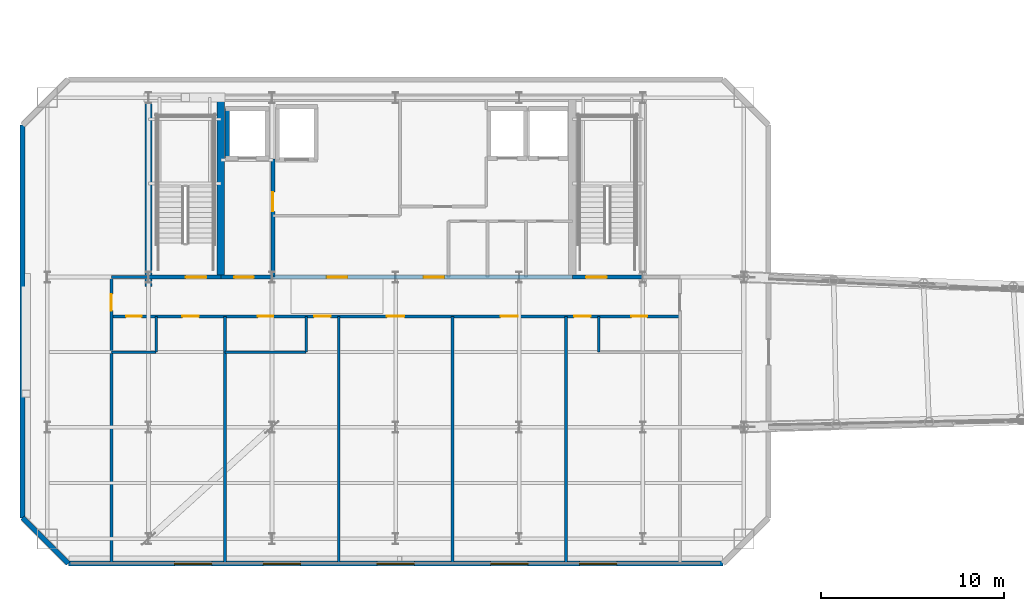
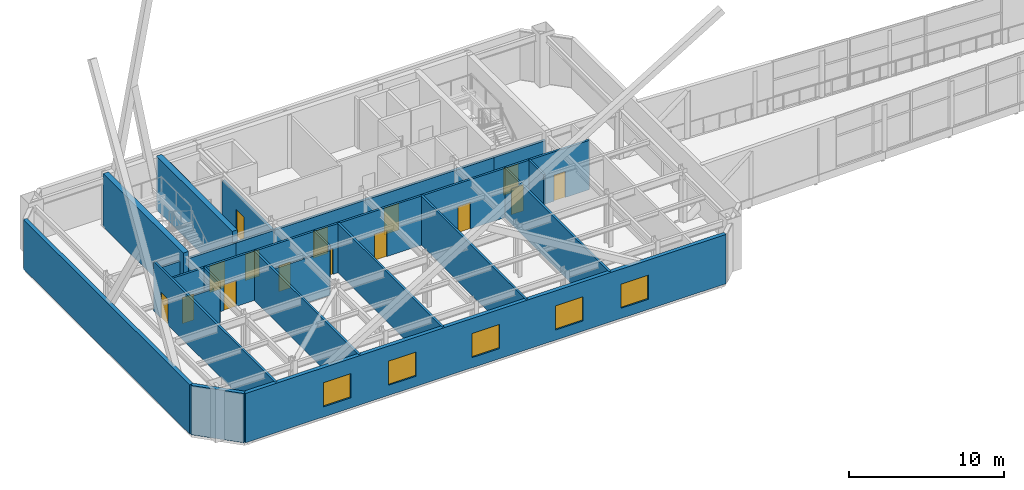
# One storey, part 15 of 23: 23 walls, 15 doors, 5 windows, 20 openings.
"""IFC4 building model written with IfcOpenShell, lengths in metres."""

from ifc_helpers import new_model, si_unit, direction, frame, frame_2d, origin, place, context, subcontext, project, spatial, rectangle, extrude, material, layer, layer_set, type_object, element, fill, save


model = new_model("IFC4")

# Units and contexts
model_context = context("Model", 3, precision=1e-05, world=origin(), true_north=direction((0.0, 1.0)))
body_context = subcontext(model_context, "Body", "Model", "MODEL_VIEW")
ifc_project = project(units=[si_unit("LENGTHUNIT", "METRE"), si_unit("AREAUNIT", "SQUARE_METRE"), si_unit("VOLUMEUNIT", "CUBIC_METRE"), si_unit("PLANEANGLEUNIT", "RADIAN"), si_unit("MASSUNIT", "GRAM", prefix="KILO")], contexts=[model_context])

# Site, building, storey
site_placement = place(None, origin())
site = spatial("IfcSite", under=ifc_project, at=site_placement, CompositionType="ELEMENT")
building_placement = place(site_placement, origin())
building = spatial("IfcBuilding", under=site, at=building_placement, Name="Haevon Station Towers", CompositionType="ELEMENT")
storey_placement = place(building_placement, frame((0.0, 0.0, 197.10009765625)))
storey = spatial("IfcBuildingStorey", under=building, at=storey_placement, Name="L54", CompositionType="ELEMENT", Elevation=197.10009765625)

# Wall, opening, door
ifc_material_1 = material(Name="Gypsum board on steel stud", Category="steel")
ifc_layer_1 = layer(ifc_material_1, 0.199951171875)
ifc_layer_set_1 = layer_set([ifc_layer_1], Name="Gypsum board on steel stud")
wall_type_1 = type_object("IfcWallType", Name="WL-COR200", PredefinedType="PARTITIONING", material=ifc_layer_set_1)
wall_1_placement = place(storey_placement, frame((24.0, 38.199951171875, 0.0), z_axis=(0.0, 0.0, 1.0), x_axis=(1.0, 0.0, 0.0)))
wall_1 = element("IfcWall", 1, at=wall_1_placement, inside=storey, type_object=wall_type_1, Name="WL-ST-ST1-L54", PredefinedType="PARTITIONING", context=body_context, shape_type="SweptSolid", body=[
    extrude(rectangle(XDim=3.949951171875, YDim=0.199951171875, at=frame_2d((1.97509765625, 0.0))), origin(), (0.0, 0.0, 1.0), 3.27978515625),
])
opening_1_placement = place(wall_1_placement, frame((2.050048828125, 0.0, 0.0)))
opening_1 = element("IfcOpeningElement", 2, at=opening_1_placement, cuts=wall_1, Name="Opening DR-ST-ST1-L54", PredefinedType="OPENING", context=body_context, shape_type="SweptSolid", body=[
    extrude(rectangle(XDim=1.1201171875, YDim=2.10009765625, at=frame_2d((0.56005859375, 1.050048828125))), frame((0.0, 0.10986328125, 0.0), z_axis=(0.0, -1.0, 0.0), x_axis=(1.0, 0.0, 0.0)), (0.0, 0.0, 1.0), 0.219970703125),
])
ifc_material_2 = material(Name="Engineered oak timber", Category="wood")
door_type_1 = type_object("IfcDoorType", Name="DR-ST-1120", OperationType="NOTDEFINED", PredefinedType="DOOR", material=ifc_material_2)
door_1_placement = place(opening_1_placement, origin())
door_1 = element("IfcDoor", 3, at=door_1_placement, inside=storey, type_object=door_type_1, Name="L54 Escape Stair ST1 Fire Door", OperationType="SINGLE_SWING_LEFT", OverallHeight=2.10009765625, OverallWidth=1.1201171875, PredefinedType="DOOR", context=body_context, shape_type="SweptSolid", body=[
    extrude(rectangle(XDim=1.1201171875, YDim=2.10009765625, at=frame_2d((0.56005859375, 1.050048828125))), frame((0.0, 0.02490234375, 0.0), z_axis=(0.0, -1.0, 0.0), x_axis=(1.0, 0.0, 0.0)), (0.0, 0.0, 1.0), 0.050048828125),
])
fill(opening_1, door_1)

wall_2_placement = place(storey_placement, frame((47.14990234375, 38.199951171875, 0.0), z_axis=(0.0, 0.0, 1.0), x_axis=(1.0, 0.0, 0.0)))
wall_2 = element("IfcWall", 4, at=wall_2_placement, inside=storey, type_object=wall_type_1, Name="WL-ST-ST2-L54", PredefinedType="PARTITIONING", context=body_context, shape_type="SweptSolid", body=[
    extrude(rectangle(XDim=3.85009765625, YDim=0.199951171875, at=frame_2d((1.925048828125, 0.0))), origin(), (0.0, 0.0, 1.0), 3.27978515625),
])
opening_2_placement = place(wall_2_placement, frame((0.75, 0.0, 0.0)))
opening_2 = element("IfcOpeningElement", 5, at=opening_2_placement, cuts=wall_2, Name="Opening DR-ST-ST2-L54", PredefinedType="OPENING", context=body_context, shape_type="SweptSolid", body=[
    extrude(rectangle(XDim=1.1201171875, YDim=2.10009765625, at=frame_2d((0.56005859375, 1.050048828125))), frame((0.0, 0.10986328125, 0.0), z_axis=(0.0, -1.0, 0.0), x_axis=(1.0, 0.0, 0.0)), (0.0, 0.0, 1.0), 0.219970703125),
])
door_2_placement = place(opening_2_placement, origin())
door_2 = element("IfcDoor", 6, at=door_2_placement, inside=storey, type_object=door_type_1, Name="L54 Escape Stair ST2 Fire Door", OperationType="SINGLE_SWING_RIGHT", OverallHeight=2.10009765625, OverallWidth=1.1201171875, PredefinedType="DOOR", context=body_context, shape_type="SweptSolid", body=[
    extrude(rectangle(XDim=1.1201171875, YDim=2.10009765625, at=frame_2d((0.56005859375, 1.050048828125))), frame((0.0, 0.02490234375, 0.0), z_axis=(0.0, -1.0, 0.0), x_axis=(1.0, 0.0, 0.0)), (0.0, 0.0, 1.0), 0.050048828125),
])
fill(opening_2, door_2)

wall_3_placement = place(storey_placement, frame((30.800048828125, 38.199951171875, 0.0), z_axis=(0.0, 0.0, 1.0), x_axis=(0.0, 1.0, 0.0)))
wall_3 = element("IfcWall", 7, at=wall_3_placement, inside=storey, type_object=wall_type_1, Name="WL-T1FFL-L54-E", PredefinedType="PARTITIONING", context=body_context, shape_type="SweptSolid", body=[
    extrude(rectangle(XDim=6.449951171875, YDim=0.199951171875, at=frame_2d((3.22509765625, 0.0))), origin(), (0.0, 0.0, 1.0), 3.27978515625),
])
opening_3_placement = place(wall_3_placement, frame((3.590087890625, 0.0, 0.0)))
opening_3 = element("IfcOpeningElement", 8, at=opening_3_placement, cuts=wall_3, Name="Opening DR-T1FFL-L54-E", PredefinedType="OPENING", context=body_context, shape_type="SweptSolid", body=[
    extrude(rectangle(XDim=1.050048828125, YDim=2.10009765625, at=frame_2d((0.52490234375, 1.050048828125))), frame((0.0, 0.10986328125, 0.0), z_axis=(0.0, -1.0, 0.0), x_axis=(1.0, 0.0, 0.0)), (0.0, 0.0, 1.0), 0.219970703125),
])
door_type_2 = type_object("IfcDoorType", Name="DR-FD60-1050", OperationType="NOTDEFINED", PredefinedType="DOOR", material=ifc_material_2)
door_3_placement = place(opening_3_placement, origin())
door_3 = element("IfcDoor", 9, at=door_3_placement, inside=storey, type_object=door_type_2, Name="L54 Tower 1 Firefighting Lift Lobby Door E", OperationType="SINGLE_SWING_LEFT", OverallHeight=2.10009765625, OverallWidth=1.050048828125, PredefinedType="DOOR", context=body_context, shape_type="SweptSolid", body=[
    extrude(rectangle(XDim=1.050048828125, YDim=2.10009765625, at=frame_2d((0.52490234375, 1.050048828125))), frame((0.0, 0.02490234375, 0.0), z_axis=(0.0, -1.0, 0.0), x_axis=(1.0, 0.0, 0.0)), (0.0, 0.0, 1.0), 0.050048828125),
])
fill(opening_3, door_3)

wall_4_placement = place(storey_placement, frame((27.949951171875, 38.199951171875, 0.0), z_axis=(0.0, 0.0, 1.0), x_axis=(1.0, 0.0, 0.0)))
wall_4 = element("IfcWall", 10, at=wall_4_placement, inside=storey, type_object=wall_type_1, Name="WL-T1FFL-L54-S", PredefinedType="PARTITIONING", context=body_context, shape_type="SweptSolid", body=[
    extrude(rectangle(XDim=2.85009765625, YDim=0.199951171875, at=frame_2d((1.425048828125, 0.0))), origin(), (0.0, 0.0, 1.0), 3.27978515625),
])
opening_4_placement = place(wall_4_placement, frame((0.75, 0.0, 0.0)))
opening_4 = element("IfcOpeningElement", 11, at=opening_4_placement, cuts=wall_4, Name="Opening DR-T1FFL-L54-S", PredefinedType="OPENING", context=body_context, shape_type="SweptSolid", body=[
    extrude(rectangle(XDim=1.050048828125, YDim=2.10009765625, at=frame_2d((0.52490234375, 1.050048828125))), frame((0.0, 0.10986328125, 0.0), z_axis=(0.0, -1.0, 0.0), x_axis=(1.0, 0.0, 0.0)), (0.0, 0.0, 1.0), 0.219970703125),
])
door_4_placement = place(opening_4_placement, origin())
door_4 = element("IfcDoor", 12, at=door_4_placement, inside=storey, type_object=door_type_2, Name="L54 Tower 1 Firefighting Lift Lobby Door S", OperationType="SINGLE_SWING_RIGHT", OverallHeight=2.10009765625, OverallWidth=1.050048828125, PredefinedType="DOOR", context=body_context, shape_type="SweptSolid", body=[
    extrude(rectangle(XDim=1.050048828125, YDim=2.10009765625, at=frame_2d((0.52490234375, 1.050048828125))), frame((0.0, 0.02490234375, 0.0), z_axis=(0.0, -1.0, 0.0), x_axis=(1.0, 0.0, 0.0)), (0.0, 0.0, 1.0), 0.050048828125),
])
fill(opening_4, door_4)

# Wall, openings, doors
wall_5_placement = place(storey_placement, frame((30.800048828125, 38.199951171875, 0.0), z_axis=(0.0, 0.0, 1.0), x_axis=(1.0, 0.0, 0.0)))
wall_5 = element("IfcWall", 13, at=wall_5_placement, inside=storey, type_object=wall_type_1, Name="WL-T1CLB-L54", PredefinedType="PARTITIONING", context=body_context, shape_type="SweptSolid", body=[
    extrude(rectangle(XDim=16.349853515625, YDim=0.199951171875, at=frame_2d((8.1748046875, 0.0))), origin(), (0.0, 0.0, 1.0), 3.27978515625),
])
opening_5_placement = place(wall_5_placement, frame((2.949951171875, 0.0, 0.0)))
opening_5 = element("IfcOpeningElement", 14, at=opening_5_placement, cuts=wall_5, Name="Opening DR-T1CLB-L54-1", PredefinedType="OPENING", context=body_context, shape_type="SweptSolid", body=[
    extrude(rectangle(XDim=1.1201171875, YDim=2.10009765625, at=frame_2d((0.56005859375, 1.050048828125))), frame((0.0, 0.10986328125, 0.0), z_axis=(0.0, -1.0, 0.0), x_axis=(1.0, 0.0, 0.0)), (0.0, 0.0, 1.0), 0.219970703125),
])
opening_6_placement = place(wall_5_placement, frame((8.22998046875, 0.0, 0.0)))
opening_6 = element("IfcOpeningElement", 15, at=opening_6_placement, cuts=wall_5, Name="Opening DR-T1CLB-L54-2", PredefinedType="OPENING", context=body_context, shape_type="SweptSolid", body=[
    extrude(rectangle(XDim=1.1201171875, YDim=2.10009765625, at=frame_2d((0.56005859375, 1.050048828125))), frame((0.0, 0.10986328125, 0.0), z_axis=(0.0, -1.0, 0.0), x_axis=(1.0, 0.0, 0.0)), (0.0, 0.0, 1.0), 0.219970703125),
])
door_5_placement = place(opening_5_placement, origin())
door_5 = element("IfcDoor", 16, at=door_5_placement, inside=storey, type_object=door_type_1, Name="L54 Tower 1 Core Lift Lobby Door 1", OperationType="SINGLE_SWING_LEFT", OverallHeight=2.10009765625, OverallWidth=1.1201171875, PredefinedType="DOOR", context=body_context, shape_type="SweptSolid", body=[
    extrude(rectangle(XDim=1.1201171875, YDim=2.10009765625, at=frame_2d((0.56005859375, 1.050048828125))), frame((0.0, 0.02490234375, 0.0), z_axis=(0.0, -1.0, 0.0), x_axis=(1.0, 0.0, 0.0)), (0.0, 0.0, 1.0), 0.050048828125),
])
fill(opening_5, door_5)
door_6_placement = place(opening_6_placement, origin())
door_6 = element("IfcDoor", 17, at=door_6_placement, inside=storey, type_object=door_type_1, Name="L54 Tower 1 Core Lift Lobby Door 2", OperationType="SINGLE_SWING_RIGHT", OverallHeight=2.10009765625, OverallWidth=1.1201171875, PredefinedType="DOOR", context=body_context, shape_type="SweptSolid", body=[
    extrude(rectangle(XDim=1.1201171875, YDim=2.10009765625, at=frame_2d((0.56005859375, 1.050048828125))), frame((0.0, 0.02490234375, 0.0), z_axis=(0.0, -1.0, 0.0), x_axis=(1.0, 0.0, 0.0)), (0.0, 0.0, 1.0), 0.050048828125),
])
fill(opening_6, door_6)

# Walls
ifc_material_3 = material(Name="Concrete C60/75", Category="concrete")
ifc_layer_2 = layer(ifc_material_3, 0.39990234375)
ifc_layer_set_2 = layer_set([ifc_layer_2], Name="Concrete C60/75")
wall_type_2 = type_object("IfcWallType", Name="WL-CR400", PredefinedType="SHEAR", material=ifc_layer_set_2)
wall_6_placement = place(storey_placement, frame((24.0, 37.679931640625, 0.0), z_axis=(0.0, 0.0, 1.0), x_axis=(0.0, 1.0, 0.0)))
element("IfcWall", 18, at=wall_6_placement, inside=storey, type_object=wall_type_2, Name="WL-T1CR-L54-W", PredefinedType="SHEAR", context=body_context, shape_type="SweptSolid", body=[
    extrude(rectangle(XDim=10.320068359375, YDim=0.39990234375, at=frame_2d((5.16015625, 0.0))), origin(), (0.0, 0.0, 1.0), 4.199951171875),
])
wall_7_placement = place(storey_placement, frame((27.949951171875, 38.199951171875, 0.0), z_axis=(0.0, 0.0, 1.0), x_axis=(0.0, 1.0, 0.0)))
element("IfcWall", 19, at=wall_7_placement, inside=storey, type_object=wall_type_2, Name="WL-T1CR-L54-M1", PredefinedType="SHEAR", context=body_context, shape_type="SweptSolid", body=[
    extrude(rectangle(XDim=9.800048828125, YDim=0.39990234375, at=frame_2d((4.89990234375, 0.0))), origin(), (0.0, 0.0, 1.0), 4.199951171875),
])

# Wall, openings, windows
ifc_material_4 = material(Name="Precast concrete C45/55", Category="concrete")
ifc_layer_3 = layer(ifc_material_4, 0.280029296875)
ifc_layer_set_3 = layer_set([ifc_layer_3], Name="Precast concrete C45/55")
wall_type_3 = type_object("IfcWallType", Name="WL-EXT-PIER280", PredefinedType="SOLIDWALL", material=ifc_layer_set_3)
wall_8_placement = place(storey_placement, frame((55.375, 22.550048828125, 0.0), z_axis=(0.0, 0.0, 1.0), x_axis=(-1.0, 0.0, 0.0)))
wall_8 = element("IfcWall", 20, at=wall_8_placement, inside=storey, type_object=wall_type_3, Name="WL-T1-L54-S", PredefinedType="SOLIDWALL", context=body_context, shape_type="SweptSolid", body=[
    extrude(rectangle(XDim=35.75, YDim=0.280029296875, at=frame_2d((17.875, 0.0))), origin(), (0.0, 0.0, 1.0), 3.8798828125),
])
opening_7_placement = place(wall_8_placement, frame((27.909912109375, 0.0, 0.800048828125)))
opening_7 = element("IfcOpeningElement", 21, at=opening_7_placement, cuts=wall_8, Name="Opening WN-P205", PredefinedType="OPENING", context=body_context, shape_type="SweptSolid", body=[
    extrude(rectangle(XDim=2.050048828125, YDim=1.89990234375, at=frame_2d((1.02490234375, 0.949951171875))), frame((0.0, 0.14990234375, 0.0), z_axis=(0.0, -1.0, 0.0), x_axis=(1.0, 0.0, 0.0)), (0.0, 0.0, 1.0), 0.300048828125),
])
opening_8_placement = place(wall_8_placement, frame((23.06005859375, 0.0, 0.800048828125)))
opening_8 = element("IfcOpeningElement", 22, at=opening_8_placement, cuts=wall_8, Name="Opening WN-P205", PredefinedType="OPENING", context=body_context, shape_type="SweptSolid", body=[
    extrude(rectangle(XDim=2.050048828125, YDim=1.89990234375, at=frame_2d((1.02490234375, 0.949951171875))), frame((0.0, 0.14990234375, 0.0), z_axis=(0.0, -1.0, 0.0), x_axis=(1.0, 0.0, 0.0)), (0.0, 0.0, 1.0), 0.300048828125),
])
opening_9_placement = place(wall_8_placement, frame((16.85009765625, 0.0, 0.800048828125)))
opening_9 = element("IfcOpeningElement", 23, at=opening_9_placement, cuts=wall_8, Name="Opening WN-P205", PredefinedType="OPENING", context=body_context, shape_type="SweptSolid", body=[
    extrude(rectangle(XDim=2.050048828125, YDim=1.89990234375, at=frame_2d((1.02490234375, 0.949951171875))), frame((0.0, 0.14990234375, 0.0), z_axis=(0.0, -1.0, 0.0), x_axis=(1.0, 0.0, 0.0)), (0.0, 0.0, 1.0), 0.300048828125),
])
opening_10_placement = place(wall_8_placement, frame((10.639892578125, 0.0, 0.800048828125)))
opening_10 = element("IfcOpeningElement", 24, at=opening_10_placement, cuts=wall_8, Name="Opening WN-P205", PredefinedType="OPENING", context=body_context, shape_type="SweptSolid", body=[
    extrude(rectangle(XDim=2.050048828125, YDim=1.89990234375, at=frame_2d((1.02490234375, 0.949951171875))), frame((0.0, 0.14990234375, 0.0), z_axis=(0.0, -1.0, 0.0), x_axis=(1.0, 0.0, 0.0)), (0.0, 0.0, 1.0), 0.300048828125),
])
opening_11_placement = place(wall_8_placement, frame((5.7900390625, 0.0, 0.800048828125)))
opening_11 = element("IfcOpeningElement", 25, at=opening_11_placement, cuts=wall_8, Name="Opening WN-P205", PredefinedType="OPENING", context=body_context, shape_type="SweptSolid", body=[
    extrude(rectangle(XDim=2.050048828125, YDim=1.89990234375, at=frame_2d((1.02490234375, 0.949951171875))), frame((0.0, 0.14990234375, 0.0), z_axis=(0.0, -1.0, 0.0), x_axis=(1.0, 0.0, 0.0)), (0.0, 0.0, 1.0), 0.300048828125),
])
ifc_material_5 = material(Name="Low-E triple glazing in thermally broken aluminium", Category="aluminium")
window_type = type_object("IfcWindowType", Name="WN-P205", PartitioningType="SINGLE_PANEL", PredefinedType="WINDOW", material=ifc_material_5)
window_1_placement = place(opening_7_placement, origin())
window_1 = element("IfcWindow", 26, at=window_1_placement, inside=storey, type_object=window_type, Name="WN-T1-L54-S01", OverallHeight=1.89990234375, OverallWidth=2.050048828125, PartitioningType="SINGLE_PANEL", PredefinedType="WINDOW", context=body_context, shape_type="SweptSolid", body=[
    extrude(rectangle(XDim=2.050048828125, YDim=1.89990234375, at=frame_2d((1.02490234375, 0.949951171875))), frame((0.0, 0.030029296875, 0.0), z_axis=(0.0, -1.0, 0.0), x_axis=(1.0, 0.0, 0.0)), (0.0, 0.0, 1.0), 0.06005859375),
])
fill(opening_7, window_1)
window_2_placement = place(opening_8_placement, origin())
window_2 = element("IfcWindow", 27, at=window_2_placement, inside=storey, type_object=window_type, Name="WN-T1-L54-S02", OverallHeight=1.89990234375, OverallWidth=2.050048828125, PartitioningType="SINGLE_PANEL", PredefinedType="WINDOW", context=body_context, shape_type="SweptSolid", body=[
    extrude(rectangle(XDim=2.050048828125, YDim=1.89990234375, at=frame_2d((1.02490234375, 0.949951171875))), frame((0.0, 0.030029296875, 0.0), z_axis=(0.0, -1.0, 0.0), x_axis=(1.0, 0.0, 0.0)), (0.0, 0.0, 1.0), 0.06005859375),
])
fill(opening_8, window_2)
window_3_placement = place(opening_9_placement, origin())
window_3 = element("IfcWindow", 28, at=window_3_placement, inside=storey, type_object=window_type, Name="WN-T1-L54-S03", OverallHeight=1.89990234375, OverallWidth=2.050048828125, PartitioningType="SINGLE_PANEL", PredefinedType="WINDOW", context=body_context, shape_type="SweptSolid", body=[
    extrude(rectangle(XDim=2.050048828125, YDim=1.89990234375, at=frame_2d((1.02490234375, 0.949951171875))), frame((0.0, 0.030029296875, 0.0), z_axis=(0.0, -1.0, 0.0), x_axis=(1.0, 0.0, 0.0)), (0.0, 0.0, 1.0), 0.06005859375),
])
fill(opening_9, window_3)
window_4_placement = place(opening_10_placement, origin())
window_4 = element("IfcWindow", 29, at=window_4_placement, inside=storey, type_object=window_type, Name="WN-T1-L54-S04", OverallHeight=1.89990234375, OverallWidth=2.050048828125, PartitioningType="SINGLE_PANEL", PredefinedType="WINDOW", context=body_context, shape_type="SweptSolid", body=[
    extrude(rectangle(XDim=2.050048828125, YDim=1.89990234375, at=frame_2d((1.02490234375, 0.949951171875))), frame((0.0, 0.030029296875, 0.0), z_axis=(0.0, -1.0, 0.0), x_axis=(1.0, 0.0, 0.0)), (0.0, 0.0, 1.0), 0.06005859375),
])
fill(opening_10, window_4)
window_5_placement = place(opening_11_placement, origin())
window_5 = element("IfcWindow", 30, at=window_5_placement, inside=storey, type_object=window_type, Name="WN-T1-L54-S05", OverallHeight=1.89990234375, OverallWidth=2.050048828125, PartitioningType="SINGLE_PANEL", PredefinedType="WINDOW", context=body_context, shape_type="SweptSolid", body=[
    extrude(rectangle(XDim=2.050048828125, YDim=1.89990234375, at=frame_2d((1.02490234375, 0.949951171875))), frame((0.0, 0.030029296875, 0.0), z_axis=(0.0, -1.0, 0.0), x_axis=(1.0, 0.0, 0.0)), (0.0, 0.0, 1.0), 0.06005859375),
])
fill(opening_11, window_5)

# Walls
wall_9_placement = place(storey_placement, frame((19.625, 22.550048828125, 0.0), z_axis=(0.0, 0.0, 1.0), x_axis=(-0.707106781187, 0.707106781187, 0.0)))
element("IfcWall", 31, at=wall_9_placement, inside=storey, type_object=wall_type_3, Name="WL-T1-L54-SWC", PredefinedType="SOLIDWALL", context=body_context, shape_type="SweptSolid", body=[
    extrude(rectangle(XDim=3.53564453125, YDim=0.280029296875, at=frame_2d((1.767822265625, 0.0))), origin(), (0.0, 0.0, 1.0), 3.8798828125),
])
wall_10_placement = place(storey_placement, frame((17.125, 25.050048828125, 0.0), z_axis=(0.0, 0.0, 1.0), x_axis=(0.0, 1.0, 0.0)))
element("IfcWall", 32, at=wall_10_placement, inside=storey, type_object=wall_type_3, Name="WL-T1-L54-W", PredefinedType="SOLIDWALL", context=body_context, shape_type="SweptSolid", body=[
    extrude(rectangle(XDim=21.449951171875, YDim=0.280029296875, at=frame_2d((10.72509765625, 0.0))), origin(), (0.0, 0.0, 1.0), 3.8798828125),
])
ifc_layer_4 = layer(ifc_material_1, 0.125)
ifc_layer_set_4 = layer_set([ifc_layer_4], Name="Gypsum board on steel stud")
wall_type_4 = type_object("IfcWallType", Name="WL-PRT125", PredefinedType="PARTITIONING", material=ifc_layer_set_4)
wall_11_placement = place(storey_placement, frame((21.97509765625, 34.10009765625, 0.0), z_axis=(0.0, 0.0, 1.0), x_axis=(1.0, 0.0, 0.0)))
element("IfcWall", 33, at=wall_11_placement, inside=storey, type_object=wall_type_4, Name="WL-T1PT-L54-05", PredefinedType="PARTITIONING", context=body_context, shape_type="SweptSolid", body=[
    extrude(rectangle(XDim=2.449951171875, YDim=0.125, at=frame_2d((1.22509765625, 0.0))), origin(), (0.0, 0.0, 1.0), 3.52978515625),
])
wall_12_placement = place(storey_placement, frame((32.614990234375, 34.10009765625, 0.0), z_axis=(0.0, 0.0, 1.0), x_axis=(0.0, 1.0, 0.0)))
element("IfcWall", 34, at=wall_12_placement, inside=storey, type_object=wall_type_4, Name="WL-T1PT-L54-09", PredefinedType="PARTITIONING", context=body_context, shape_type="SweptSolid", body=[
    extrude(rectangle(XDim=1.949951171875, YDim=0.125, at=frame_2d((0.97509765625, 0.0))), origin(), (0.0, 0.0, 1.0), 3.8798828125),
])
ifc_layer_5 = layer(ifc_material_1, 0.139892578125)
ifc_layer_set_5 = layer_set([ifc_layer_5], Name="Gypsum board on steel stud")
wall_type_5 = type_object("IfcWallType", Name="WL-PRT140", PredefinedType="PARTITIONING", material=ifc_layer_set_5)
wall_13_placement = place(storey_placement, frame((24.425048828125, 34.10009765625, 0.0), z_axis=(0.0, 0.0, 1.0), x_axis=(0.0, 1.0, 0.0)))
element("IfcWall", 35, at=wall_13_placement, inside=storey, type_object=wall_type_5, Name="WL-T1PT-L54-06", PredefinedType="PARTITIONING", context=body_context, shape_type="SweptSolid", body=[
    extrude(rectangle(XDim=1.949951171875, YDim=0.139892578125, at=frame_2d((0.97509765625, 0.0))), origin(), (0.0, 0.0, 1.0), 3.8798828125),
])
wall_14_placement = place(storey_placement, frame((28.18505859375, 34.10009765625, 0.0), z_axis=(0.0, 0.0, 1.0), x_axis=(1.0, 0.0, 0.0)))
element("IfcWall", 36, at=wall_14_placement, inside=storey, type_object=wall_type_5, Name="WL-T1PT-L54-08", PredefinedType="PARTITIONING", context=body_context, shape_type="SweptSolid", body=[
    extrude(rectangle(XDim=4.429931640625, YDim=0.139892578125, at=frame_2d((2.21484375, 0.0))), origin(), (0.0, 0.0, 1.0), 3.52978515625),
])
wall_15_placement = place(storey_placement, frame((48.594970703125, 34.10009765625, 0.0), z_axis=(0.0, 0.0, 1.0), x_axis=(0.0, 1.0, 0.0)))
element("IfcWall", 37, at=wall_15_placement, inside=storey, type_object=wall_type_5, Name="WL-T1PT-L54-14", PredefinedType="PARTITIONING", context=body_context, shape_type="SweptSolid", body=[
    extrude(rectangle(XDim=1.949951171875, YDim=0.139892578125, at=frame_2d((0.97509765625, 0.0))), origin(), (0.0, 0.0, 1.0), 3.8798828125),
])
ifc_layer_6 = layer(ifc_material_1, 0.159912109375)
ifc_layer_set_6 = layer_set([ifc_layer_6], Name="Gypsum board on steel stud")
wall_type_6 = type_object("IfcWallType", Name="WL-PRT160", PredefinedType="PARTITIONING", material=ifc_layer_set_6)
wall_16_placement = place(storey_placement, frame((21.97509765625, 38.199951171875, 0.0), z_axis=(0.0, 0.0, 1.0), x_axis=(1.0, 0.0, 0.0)))
element("IfcWall", 38, at=wall_16_placement, inside=storey, type_object=wall_type_6, Name="WL-T1PT-L54-01", PredefinedType="PARTITIONING", context=body_context, shape_type="SweptSolid", body=[
    extrude(rectangle(XDim=2.02490234375, YDim=0.159912109375, at=frame_2d((1.012451171875, 0.0))), origin(), (0.0, 0.0, 1.0), 3.27978515625),
])

# Wall, opening, door
wall_17_placement = place(storey_placement, frame((21.97509765625, 22.550048828125, 0.0), z_axis=(0.0, 0.0, 1.0), x_axis=(0.0, 1.0, 0.0)))
wall_17 = element("IfcWall", 39, at=wall_17_placement, inside=storey, type_object=wall_type_6, Name="WL-T1PT-L54-03", PredefinedType="PARTITIONING", context=body_context, shape_type="SweptSolid", body=[
    extrude(rectangle(XDim=15.64990234375, YDim=0.159912109375, at=frame_2d((7.824951171875, 0.0))), origin(), (0.0, 0.0, 1.0), 3.8798828125),
])
opening_12_placement = place(wall_17_placement, frame((13.820068359375, 0.0, 0.0)))
opening_12 = element("IfcOpeningElement", 40, at=opening_12_placement, cuts=wall_17, Name="Opening DR-WL-T1PT-L54-03-01", PredefinedType="OPENING", context=body_context, shape_type="SweptSolid", body=[
    extrude(rectangle(XDim=0.89990234375, YDim=2.050048828125, at=frame_2d((0.449951171875, 1.02490234375))), frame((0.0, 0.08984375, 0.0), z_axis=(0.0, -1.0, 0.0), x_axis=(1.0, 0.0, 0.0)), (0.0, 0.0, 1.0), 0.179931640625),
])
door_type_3 = type_object("IfcDoorType", Name="DR-INT-900", OperationType="NOTDEFINED", PredefinedType="DOOR", material=ifc_material_2)
door_7_placement = place(opening_12_placement, origin())
door_7 = element("IfcDoor", 41, at=door_7_placement, inside=storey, type_object=door_type_3, Name="L54 Tower 1 Room Door 3-1", OperationType="SINGLE_SWING_LEFT", OverallHeight=2.050048828125, OverallWidth=0.89990234375, PredefinedType="DOOR", context=body_context, shape_type="SweptSolid", body=[
    extrude(rectangle(XDim=0.89990234375, YDim=2.050048828125, at=frame_2d((0.449951171875, 1.02490234375))), frame((0.0, 0.02490234375, 0.0), z_axis=(0.0, -1.0, 0.0), x_axis=(1.0, 0.0, 0.0)), (0.0, 0.0, 1.0), 0.050048828125),
])
fill(opening_12, door_7)

# Walls
for number, where, z_axis, x_axis, name in (
    (42, (28.18505859375, 22.550048828125, 0.0), (0.0, 0.0, 1.0), (0.0, 1.0, 0.0), "WL-T1PT-L54-07"),
    (43, (34.39501953125, 22.550048828125, 0.0), (0.0, 0.0, 1.0), (0.0, 1.0, 0.0), "WL-T1PT-L54-10"),
    (44, (40.60498046875, 22.550048828125, 0.0), (0.0, 0.0, 1.0), (0.0, 1.0, 0.0), "WL-T1PT-L54-11"),
    (45, (46.81494140625, 22.550048828125, 0.0), (0.0, 0.0, 1.0), (0.0, 1.0, 0.0), "WL-T1PT-L54-12"),
):
    element("IfcWall", number, at=place(storey_placement, frame(where, z_axis=z_axis, x_axis=x_axis)), inside=storey, type_object=wall_type_6, Name=name, PredefinedType="PARTITIONING", context=body_context, shape_type="SweptSolid", body=[
        extrude(rectangle(XDim=13.5, YDim=0.159912109375, at=frame_2d((6.75, 0.0))), origin(), (0.0, 0.0, 1.0), 3.8798828125),
    ])

# Wall, openings, doors
wall_18_placement = place(storey_placement, frame((21.97509765625, 36.050048828125, 0.0), z_axis=(0.0, 0.0, 1.0), x_axis=(1.0, 0.0, 0.0)))
wall_18 = element("IfcWall", 46, at=wall_18_placement, inside=storey, type_object=wall_type_6, Name="WL-T1PT-L54-15", PredefinedType="PARTITIONING", context=body_context, shape_type="SweptSolid", body=[
    extrude(rectangle(XDim=31.0498046875, YDim=0.159912109375, at=frame_2d((15.52490234375, 0.0))), origin(), (0.0, 0.0, 1.0), 3.8798828125),
])
opening_13_placement = place(wall_18_placement, frame((0.800048828125, 0.0, 0.0)))
opening_13 = element("IfcOpeningElement", 47, at=opening_13_placement, cuts=wall_18, Name="Opening DR-WL-T1PT-L54-15-01", PredefinedType="OPENING", context=body_context, shape_type="SweptSolid", body=[
    extrude(rectangle(XDim=0.85009765625, YDim=2.050048828125, at=frame_2d((0.425048828125, 1.02490234375))), frame((0.0, 0.08984375, 0.0), z_axis=(0.0, -1.0, 0.0), x_axis=(1.0, 0.0, 0.0)), (0.0, 0.0, 1.0), 0.179931640625),
])
opening_14_placement = place(wall_18_placement, frame((3.8798828125, 0.0, 0.0)))
opening_14 = element("IfcOpeningElement", 48, at=opening_14_placement, cuts=wall_18, Name="Opening DR-WL-T1PT-L54-15-02", PredefinedType="OPENING", context=body_context, shape_type="SweptSolid", body=[
    extrude(rectangle(XDim=0.89990234375, YDim=2.050048828125, at=frame_2d((0.449951171875, 1.02490234375))), frame((0.0, 0.08984375, 0.0), z_axis=(0.0, -1.0, 0.0), x_axis=(1.0, 0.0, 0.0)), (0.0, 0.0, 1.0), 0.179931640625),
])
opening_15_placement = place(wall_18_placement, frame((8.0, 0.0, 0.0)))
opening_15 = element("IfcOpeningElement", 49, at=opening_15_placement, cuts=wall_18, Name="Opening DR-WL-T1PT-L54-15-03", PredefinedType="OPENING", context=body_context, shape_type="SweptSolid", body=[
    extrude(rectangle(XDim=0.85009765625, YDim=2.050048828125, at=frame_2d((0.425048828125, 1.02490234375))), frame((0.0, 0.08984375, 0.0), z_axis=(0.0, -1.0, 0.0), x_axis=(1.0, 0.0, 0.0)), (0.0, 0.0, 1.0), 0.179931640625),
])
opening_16_placement = place(wall_18_placement, frame((11.080078125, 0.0, 0.0)))
opening_16 = element("IfcOpeningElement", 50, at=opening_16_placement, cuts=wall_18, Name="Opening DR-WL-T1PT-L54-15-04", PredefinedType="OPENING", context=body_context, shape_type="SweptSolid", body=[
    extrude(rectangle(XDim=0.89990234375, YDim=2.050048828125, at=frame_2d((0.449951171875, 1.02490234375))), frame((0.0, 0.08984375, 0.0), z_axis=(0.0, -1.0, 0.0), x_axis=(1.0, 0.0, 0.0)), (0.0, 0.0, 1.0), 0.179931640625),
])
opening_17_placement = place(wall_18_placement, frame((15.050048828125, 0.0, 0.0)))
opening_17 = element("IfcOpeningElement", 51, at=opening_17_placement, cuts=wall_18, Name="Opening DR-WL-T1PT-L54-15-05", PredefinedType="OPENING", context=body_context, shape_type="SweptSolid", body=[
    extrude(rectangle(XDim=0.949951171875, YDim=2.10009765625, at=frame_2d((0.47509765625, 1.050048828125))), frame((0.0, 0.08984375, 0.0), z_axis=(0.0, -1.0, 0.0), x_axis=(1.0, 0.0, 0.0)), (0.0, 0.0, 1.0), 0.179931640625),
])
opening_18_placement = place(wall_18_placement, frame((21.260009765625, 0.0, 0.0)))
opening_18 = element("IfcOpeningElement", 52, at=opening_18_placement, cuts=wall_18, Name="Opening DR-WL-T1PT-L54-15-06", PredefinedType="OPENING", context=body_context, shape_type="SweptSolid", body=[
    extrude(rectangle(XDim=0.949951171875, YDim=2.10009765625, at=frame_2d((0.47509765625, 1.050048828125))), frame((0.0, 0.08984375, 0.0), z_axis=(0.0, -1.0, 0.0), x_axis=(1.0, 0.0, 0.0)), (0.0, 0.0, 1.0), 0.179931640625),
])
opening_19_placement = place(wall_18_placement, frame((28.409912109375, 0.0, 0.0)))
opening_19 = element("IfcOpeningElement", 53, at=opening_19_placement, cuts=wall_18, Name="Opening DR-WL-T1PT-L54-15-07", PredefinedType="OPENING", context=body_context, shape_type="SweptSolid", body=[
    extrude(rectangle(XDim=0.85009765625, YDim=2.050048828125, at=frame_2d((0.425048828125, 1.02490234375))), frame((0.0, 0.08984375, 0.0), z_axis=(0.0, -1.0, 0.0), x_axis=(1.0, 0.0, 0.0)), (0.0, 0.0, 1.0), 0.179931640625),
])
opening_20_placement = place(wall_18_placement, frame((25.280029296875, 0.0, 0.0)))
opening_20 = element("IfcOpeningElement", 54, at=opening_20_placement, cuts=wall_18, Name="Opening DR-WL-T1PT-L54-15-08", PredefinedType="OPENING", context=body_context, shape_type="SweptSolid", body=[
    extrude(rectangle(XDim=0.89990234375, YDim=2.050048828125, at=frame_2d((0.449951171875, 1.02490234375))), frame((0.0, 0.08984375, 0.0), z_axis=(0.0, -1.0, 0.0), x_axis=(1.0, 0.0, 0.0)), (0.0, 0.0, 1.0), 0.179931640625),
])
door_type_4 = type_object("IfcDoorType", Name="DR-FD30-850", OperationType="NOTDEFINED", PredefinedType="DOOR", material=ifc_material_2)
door_8_placement = place(opening_13_placement, origin())
door_8 = element("IfcDoor", 55, at=door_8_placement, inside=storey, type_object=door_type_4, Name="L54 Tower 1 Room Door 15-1", OperationType="SINGLE_SWING_LEFT", OverallHeight=2.050048828125, OverallWidth=0.85009765625, PredefinedType="DOOR", context=body_context, shape_type="SweptSolid", body=[
    extrude(rectangle(XDim=0.85009765625, YDim=2.050048828125, at=frame_2d((0.425048828125, 1.02490234375))), frame((0.0, 0.02490234375, 0.0), z_axis=(0.0, -1.0, 0.0), x_axis=(1.0, 0.0, 0.0)), (0.0, 0.0, 1.0), 0.050048828125),
])
fill(opening_13, door_8)
door_9_placement = place(opening_15_placement, origin())
door_9 = element("IfcDoor", 56, at=door_9_placement, inside=storey, type_object=door_type_4, Name="L54 Tower 1 Room Door 15-3", OperationType="SINGLE_SWING_LEFT", OverallHeight=2.050048828125, OverallWidth=0.85009765625, PredefinedType="DOOR", context=body_context, shape_type="SweptSolid", body=[
    extrude(rectangle(XDim=0.85009765625, YDim=2.050048828125, at=frame_2d((0.425048828125, 1.02490234375))), frame((0.0, 0.02490234375, 0.0), z_axis=(0.0, -1.0, 0.0), x_axis=(1.0, 0.0, 0.0)), (0.0, 0.0, 1.0), 0.050048828125),
])
fill(opening_15, door_9)
door_10_placement = place(opening_19_placement, origin())
door_10 = element("IfcDoor", 57, at=door_10_placement, inside=storey, type_object=door_type_4, Name="L54 Tower 1 Room Door 15-7", OperationType="SINGLE_SWING_LEFT", OverallHeight=2.050048828125, OverallWidth=0.85009765625, PredefinedType="DOOR", context=body_context, shape_type="SweptSolid", body=[
    extrude(rectangle(XDim=0.85009765625, YDim=2.050048828125, at=frame_2d((0.425048828125, 1.02490234375))), frame((0.0, 0.02490234375, 0.0), z_axis=(0.0, -1.0, 0.0), x_axis=(1.0, 0.0, 0.0)), (0.0, 0.0, 1.0), 0.050048828125),
])
fill(opening_19, door_10)
door_type_5 = type_object("IfcDoorType", Name="DR-FD30-950", OperationType="NOTDEFINED", PredefinedType="DOOR", material=ifc_material_2)
door_11_placement = place(opening_17_placement, origin())
door_11 = element("IfcDoor", 58, at=door_11_placement, inside=storey, type_object=door_type_5, Name="L54 Tower 1 Room Door 15-5", OperationType="SINGLE_SWING_LEFT", OverallHeight=2.10009765625, OverallWidth=0.949951171875, PredefinedType="DOOR", context=body_context, shape_type="SweptSolid", body=[
    extrude(rectangle(XDim=0.949951171875, YDim=2.10009765625, at=frame_2d((0.47509765625, 1.050048828125))), frame((0.0, 0.02490234375, 0.0), z_axis=(0.0, -1.0, 0.0), x_axis=(1.0, 0.0, 0.0)), (0.0, 0.0, 1.0), 0.050048828125),
])
fill(opening_17, door_11)
door_12_placement = place(opening_18_placement, origin())
door_12 = element("IfcDoor", 59, at=door_12_placement, inside=storey, type_object=door_type_5, Name="L54 Tower 1 Room Door 15-6", OperationType="SINGLE_SWING_RIGHT", OverallHeight=2.10009765625, OverallWidth=0.949951171875, PredefinedType="DOOR", context=body_context, shape_type="SweptSolid", body=[
    extrude(rectangle(XDim=0.949951171875, YDim=2.10009765625, at=frame_2d((0.47509765625, 1.050048828125))), frame((0.0, 0.02490234375, 0.0), z_axis=(0.0, -1.0, 0.0), x_axis=(1.0, 0.0, 0.0)), (0.0, 0.0, 1.0), 0.050048828125),
])
fill(opening_18, door_12)
door_13_placement = place(opening_14_placement, origin())
door_13 = element("IfcDoor", 60, at=door_13_placement, inside=storey, type_object=door_type_3, Name="L54 Tower 1 Room Door 15-2", OperationType="SINGLE_SWING_RIGHT", OverallHeight=2.050048828125, OverallWidth=0.89990234375, PredefinedType="DOOR", context=body_context, shape_type="SweptSolid", body=[
    extrude(rectangle(XDim=0.89990234375, YDim=2.050048828125, at=frame_2d((0.449951171875, 1.02490234375))), frame((0.0, 0.02490234375, 0.0), z_axis=(0.0, -1.0, 0.0), x_axis=(1.0, 0.0, 0.0)), (0.0, 0.0, 1.0), 0.050048828125),
])
fill(opening_14, door_13)
door_14_placement = place(opening_16_placement, origin())
door_14 = element("IfcDoor", 61, at=door_14_placement, inside=storey, type_object=door_type_3, Name="L54 Tower 1 Room Door 15-4", OperationType="SINGLE_SWING_RIGHT", OverallHeight=2.050048828125, OverallWidth=0.89990234375, PredefinedType="DOOR", context=body_context, shape_type="SweptSolid", body=[
    extrude(rectangle(XDim=0.89990234375, YDim=2.050048828125, at=frame_2d((0.449951171875, 1.02490234375))), frame((0.0, 0.02490234375, 0.0), z_axis=(0.0, -1.0, 0.0), x_axis=(1.0, 0.0, 0.0)), (0.0, 0.0, 1.0), 0.050048828125),
])
fill(opening_16, door_14)
door_15_placement = place(opening_20_placement, origin())
door_15 = element("IfcDoor", 62, at=door_15_placement, inside=storey, type_object=door_type_3, Name="L54 Tower 1 Room Door 15-8", OperationType="SINGLE_SWING_RIGHT", OverallHeight=2.050048828125, OverallWidth=0.89990234375, PredefinedType="DOOR", context=body_context, shape_type="SweptSolid", body=[
    extrude(rectangle(XDim=0.89990234375, YDim=2.050048828125, at=frame_2d((0.449951171875, 1.02490234375))), frame((0.0, 0.02490234375, 0.0), z_axis=(0.0, -1.0, 0.0), x_axis=(1.0, 0.0, 0.0)), (0.0, 0.0, 1.0), 0.050048828125),
])
fill(opening_20, door_15)

# Wall
ifc_material_6 = material(Name="Concrete C40/50", Category="concrete")
ifc_layer_7 = layer(ifc_material_6, 0.239990234375)
ifc_layer_set_7 = layer_set([ifc_layer_7], Name="Concrete C40/50")
wall_type_7 = type_object("IfcWallType", Name="WL-SHF240", PredefinedType="PARTITIONING", material=ifc_layer_set_7)
wall_19_placement = place(storey_placement, frame((28.300048828125, 44.699951171875, 0.0), z_axis=(0.0, 0.0, 1.0), x_axis=(0.0, 1.0, 0.0)))
element("IfcWall", 63, at=wall_19_placement, inside=storey, type_object=wall_type_7, Name="WL-SHF-FL1-L54-W", PredefinedType="PARTITIONING", context=body_context, shape_type="SweptSolid", body=[
    extrude(rectangle(XDim=2.699951171875, YDim=0.239990234375, at=frame_2d((1.35009765625, 0.0))), origin(), (0.0, 0.0, 1.0), 3.8798828125),
])

save(model, "model.ifc")
